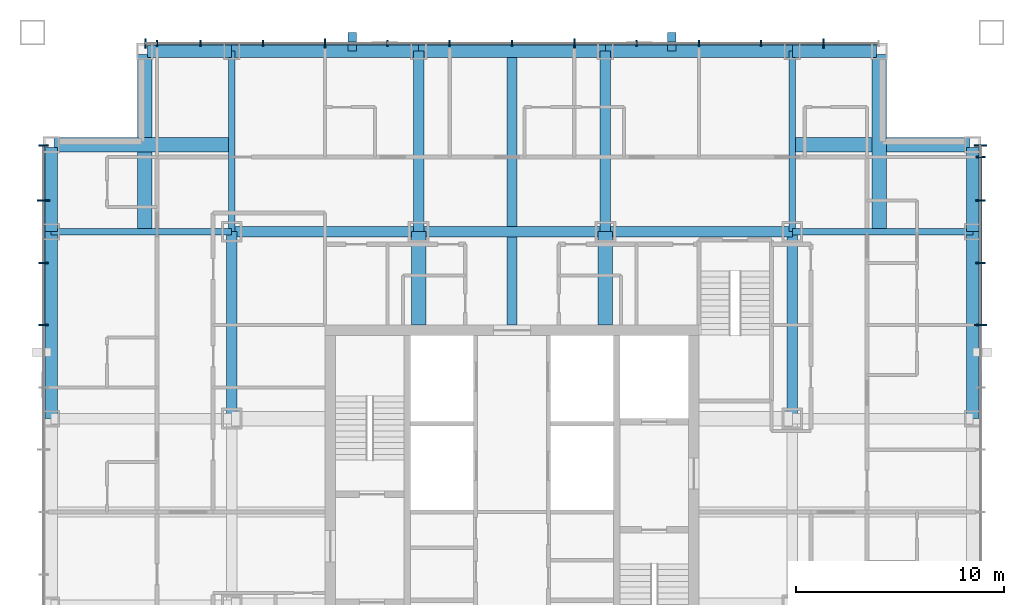
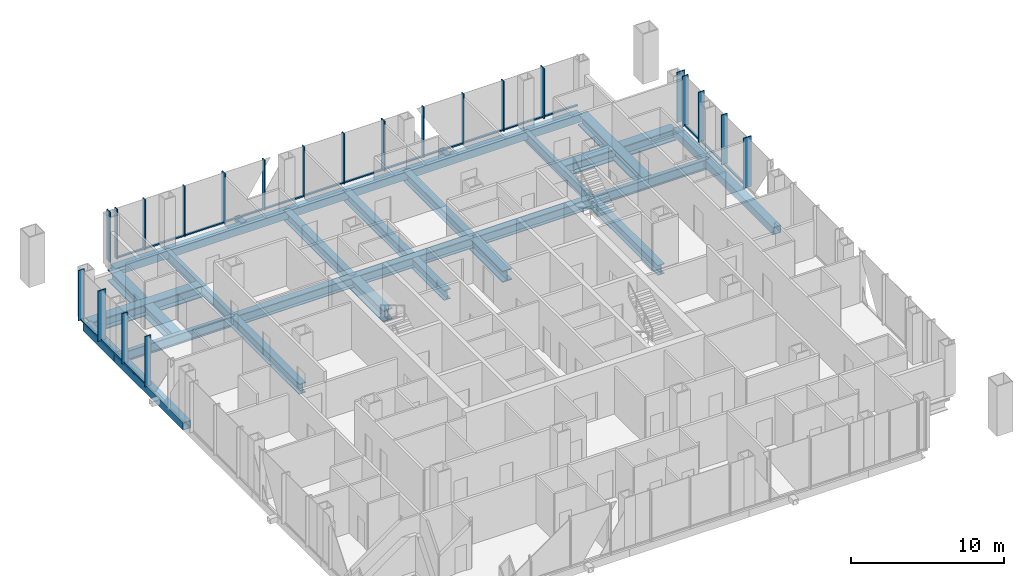
# One storey, part 4 of 20: 42 members, 27 beams, 3 elements without a shape of their own.
"""IFC4 building model written with IfcOpenShell, lengths in metres."""

from ifc_helpers import new_model, si_unit, direction, frame, origin, origin_2d, place, context, subcontext, project, spatial, rectangle, hollow_rectangle, i_section, extrude, material, layer, layer_set, material_profile, profile_set, type_object, element, aggregate, save


model = new_model("IFC4")

# Units and contexts
model_context = context("Model", 3, precision=1e-05, world=origin(), true_north=direction((0.0, 1.0)))
body_context = subcontext(model_context, "Body", "Model", "MODEL_VIEW")
ifc_project = project(units=[si_unit("LENGTHUNIT", "METRE"), si_unit("AREAUNIT", "SQUARE_METRE"), si_unit("VOLUMEUNIT", "CUBIC_METRE"), si_unit("PLANEANGLEUNIT", "RADIAN"), si_unit("MASSUNIT", "GRAM", prefix="KILO")], contexts=[model_context])

# Site, building, storey
site_placement = place(None, origin())
site = spatial("IfcSite", under=ifc_project, at=site_placement, CompositionType="ELEMENT")
building_placement = place(site_placement, origin())
building = spatial("IfcBuilding", under=site, at=building_placement, Name="Malebo Sky Hospital", CompositionType="ELEMENT")
storey_placement = place(building_placement, frame((0.0, 0.0, 233.0)))
storey = spatial("IfcBuildingStorey", under=building, at=storey_placement, Name="L56", CompositionType="ELEMENT", Elevation=233.0)

# Curtain wall, members
ifc_material_1 = material(Name="Anodised aluminium, natural silver", Category="aluminium")
ifc_layer_1 = layer(ifc_material_1, 0.25)
ifc_layer_set_1 = layer_set([ifc_layer_1], Name="WARD CURTAIN WALL NORTH AND SOUTH")
curtain_wall_type_1 = type_object("IfcCurtainWallType", Name="WARD CURTAIN WALL NORTH AND SOUTH", PredefinedType="NOTDEFINED", material=ifc_layer_set_1)
curtain_wall_1_placement = place(storey_placement, origin())
curtain_wall_1 = element("IfcCurtainWall", 1, at=curtain_wall_1_placement, inside=storey, type_object=curtain_wall_type_1, Name="NS curtain wall N", PredefinedType="NOTDEFINED")
ifc_material_profile_1 = material_profile(ifc_material_1, rectangle(XDim=0.14990234375, YDim=0.10009765625, at=origin_2d()), Name="ALUMINIUM TRANSOM 150x100")
ifc_profile_set_1 = profile_set([ifc_material_profile_1], Name="Anodised aluminium, natural silver")
member_type_1 = type_object("IfcMemberType", Name="ALUMINIUM TRANSOM 150x100", PredefinedType="USERDEFINED", material=ifc_profile_set_1)
member_1_placement = place(storey_placement, frame((42.9375, 84.574951171875, 0.050048828125), z_axis=(1.0, 0.0, 0.0), x_axis=(0.0, 1.0, 0.0)))
member_1 = element("IfcMember", 2, at=member_1_placement, type_object=member_type_1, Name="Transom 2", ObjectType="TRANSOM", PredefinedType="USERDEFINED", context=body_context, shape_type="SweptSolid", body=[
    extrude(rectangle(XDim=0.14990234375, YDim=0.10009765625, at=origin_2d()), origin(), (0.0, 0.0, 1.0), 2.02490234375),
])
member_2_placement = place(storey_placement, frame((45.03759765625, 84.574951171875, 0.050048828125), z_axis=(1.0, 0.0, 0.0), x_axis=(0.0, 1.0, 0.0)))
member_2 = element("IfcMember", 3, at=member_2_placement, type_object=member_type_1, Name="Transom 3", ObjectType="TRANSOM", PredefinedType="USERDEFINED", context=body_context, shape_type="SweptSolid", body=[
    extrude(rectangle(XDim=0.14990234375, YDim=0.10009765625, at=origin_2d()), origin(), (0.0, 0.0, 1.0), 2.9248046875),
])
member_3_placement = place(storey_placement, frame((48.03759765625, 84.574951171875, 0.050048828125), z_axis=(1.0, 0.0, 0.0), x_axis=(0.0, 1.0, 0.0)))
member_3 = element("IfcMember", 4, at=member_3_placement, type_object=member_type_1, Name="Transom 4", ObjectType="TRANSOM", PredefinedType="USERDEFINED", context=body_context, shape_type="SweptSolid", body=[
    extrude(rectangle(XDim=0.14990234375, YDim=0.10009765625, at=origin_2d()), origin(), (0.0, 0.0, 1.0), 2.9248046875),
])
member_4_placement = place(storey_placement, frame((51.03759765625, 84.574951171875, 0.050048828125), z_axis=(1.0, 0.0, 0.0), x_axis=(0.0, 1.0, 0.0)))
member_4 = element("IfcMember", 5, at=member_4_placement, type_object=member_type_1, Name="Transom 5", ObjectType="TRANSOM", PredefinedType="USERDEFINED", context=body_context, shape_type="SweptSolid", body=[
    extrude(rectangle(XDim=0.14990234375, YDim=0.10009765625, at=origin_2d()), origin(), (0.0, 0.0, 1.0), 2.9248046875),
])
member_5_placement = place(storey_placement, frame((54.03759765625, 84.574951171875, 0.050048828125), z_axis=(1.0, 0.0, 0.0), x_axis=(0.0, 1.0, 0.0)))
member_5 = element("IfcMember", 6, at=member_5_placement, type_object=member_type_1, Name="Transom 6", ObjectType="TRANSOM", PredefinedType="USERDEFINED", context=body_context, shape_type="SweptSolid", body=[
    extrude(rectangle(XDim=0.14990234375, YDim=0.10009765625, at=origin_2d()), origin(), (0.0, 0.0, 1.0), 2.9248046875),
])
member_6_placement = place(storey_placement, frame((57.03759765625, 84.574951171875, 0.050048828125), z_axis=(1.0, 0.0, 0.0), x_axis=(0.0, 1.0, 0.0)))
member_6 = element("IfcMember", 7, at=member_6_placement, type_object=member_type_1, Name="Transom 7", ObjectType="TRANSOM", PredefinedType="USERDEFINED", context=body_context, shape_type="SweptSolid", body=[
    extrude(rectangle(XDim=0.14990234375, YDim=0.10009765625, at=origin_2d()), origin(), (0.0, 0.0, 1.0), 2.9248046875),
])
member_7_placement = place(storey_placement, frame((60.03759765625, 84.574951171875, 0.050048828125), z_axis=(1.0, 0.0, 0.0), x_axis=(0.0, 1.0, 0.0)))
member_7 = element("IfcMember", 8, at=member_7_placement, type_object=member_type_1, Name="Transom 8", ObjectType="TRANSOM", PredefinedType="USERDEFINED", context=body_context, shape_type="SweptSolid", body=[
    extrude(rectangle(XDim=0.14990234375, YDim=0.10009765625, at=origin_2d()), origin(), (0.0, 0.0, 1.0), 2.9248046875),
])
member_8_placement = place(storey_placement, frame((63.03759765625, 84.574951171875, 0.050048828125), z_axis=(1.0, 0.0, 0.0), x_axis=(0.0, 1.0, 0.0)))
member_8 = element("IfcMember", 9, at=member_8_placement, type_object=member_type_1, Name="Transom 9", ObjectType="TRANSOM", PredefinedType="USERDEFINED", context=body_context, shape_type="SweptSolid", body=[
    extrude(rectangle(XDim=0.14990234375, YDim=0.10009765625, at=origin_2d()), origin(), (0.0, 0.0, 1.0), 2.9248046875),
])
member_9_placement = place(storey_placement, frame((66.03759765625, 84.574951171875, 0.050048828125), z_axis=(1.0, 0.0, 0.0), x_axis=(0.0, 1.0, 0.0)))
member_9 = element("IfcMember", 10, at=member_9_placement, type_object=member_type_1, Name="Transom 10", ObjectType="TRANSOM", PredefinedType="USERDEFINED", context=body_context, shape_type="SweptSolid", body=[
    extrude(rectangle(XDim=0.14990234375, YDim=0.10009765625, at=origin_2d()), origin(), (0.0, 0.0, 1.0), 2.9248046875),
])
member_10_placement = place(storey_placement, frame((69.03759765625, 84.574951171875, 0.050048828125), z_axis=(1.0, 0.0, 0.0), x_axis=(0.0, 1.0, 0.0)))
member_10 = element("IfcMember", 11, at=member_10_placement, type_object=member_type_1, Name="Transom 11", ObjectType="TRANSOM", PredefinedType="USERDEFINED", context=body_context, shape_type="SweptSolid", body=[
    extrude(rectangle(XDim=0.14990234375, YDim=0.10009765625, at=origin_2d()), origin(), (0.0, 0.0, 1.0), 2.9248046875),
])
member_11_placement = place(storey_placement, frame((72.03759765625, 84.574951171875, 0.050048828125), z_axis=(1.0, 0.0, 0.0), x_axis=(0.0, 1.0, 0.0)))
member_11 = element("IfcMember", 12, at=member_11_placement, type_object=member_type_1, Name="Transom 12", ObjectType="TRANSOM", PredefinedType="USERDEFINED", context=body_context, shape_type="SweptSolid", body=[
    extrude(rectangle(XDim=0.14990234375, YDim=0.10009765625, at=origin_2d()), origin(), (0.0, 0.0, 1.0), 2.9248046875),
])
member_12_placement = place(storey_placement, frame((75.03759765625, 84.574951171875, 0.050048828125), z_axis=(1.0, 0.0, 0.0), x_axis=(0.0, 1.0, 0.0)))
member_12 = element("IfcMember", 13, at=member_12_placement, type_object=member_type_1, Name="Transom 13", ObjectType="TRANSOM", PredefinedType="USERDEFINED", context=body_context, shape_type="SweptSolid", body=[
    extrude(rectangle(XDim=0.14990234375, YDim=0.10009765625, at=origin_2d()), origin(), (0.0, 0.0, 1.0), 2.58740234375),
])

ifc_layer_2 = layer(ifc_material_1, 0.25)
ifc_layer_set_2 = layer_set([ifc_layer_2], Name="WARD CURTAIN WALL EAST AND WEST")
curtain_wall_type_2 = type_object("IfcCurtainWallType", Name="WARD CURTAIN WALL EAST AND WEST", PredefinedType="NOTDEFINED", material=ifc_layer_set_2)
curtain_wall_2_placement = place(storey_placement, origin())
curtain_wall_2 = element("IfcCurtainWall", 14, at=curtain_wall_2_placement, inside=storey, type_object=curtain_wall_type_2, Name="EW curtain wall W", PredefinedType="NOTDEFINED")
member_13_placement = place(storey_placement, frame((37.425048828125, 71.03759765625, 0.050048828125), z_axis=(0.0, 1.0, 0.0), x_axis=(-1.0, 0.0, 0.0)))
member_13 = element("IfcMember", 15, at=member_13_placement, type_object=member_type_1, Name="Transom 11", ObjectType="TRANSOM", PredefinedType="USERDEFINED", context=body_context, shape_type="SweptSolid", body=[
    extrude(rectangle(XDim=0.14990234375, YDim=0.10009765625, at=origin_2d()), origin(), (0.0, 0.0, 1.0), 2.9248046875),
])
member_14_placement = place(storey_placement, frame((37.425048828125, 74.03759765625, 0.050048828125), z_axis=(0.0, 1.0, 0.0), x_axis=(-1.0, 0.0, 0.0)))
member_14 = element("IfcMember", 16, at=member_14_placement, type_object=member_type_1, Name="Transom 12", ObjectType="TRANSOM", PredefinedType="USERDEFINED", context=body_context, shape_type="SweptSolid", body=[
    extrude(rectangle(XDim=0.14990234375, YDim=0.10009765625, at=origin_2d()), origin(), (0.0, 0.0, 1.0), 2.9248046875),
])
member_15_placement = place(storey_placement, frame((37.425048828125, 77.03759765625, 0.050048828125), z_axis=(0.0, 1.0, 0.0), x_axis=(-1.0, 0.0, 0.0)))
member_15 = element("IfcMember", 17, at=member_15_placement, type_object=member_type_1, Name="Transom 13", ObjectType="TRANSOM", PredefinedType="USERDEFINED", context=body_context, shape_type="SweptSolid", body=[
    extrude(rectangle(XDim=0.14990234375, YDim=0.10009765625, at=origin_2d()), origin(), (0.0, 0.0, 1.0), 2.58740234375),
])

curtain_wall_3_placement = place(storey_placement, origin())
curtain_wall_3 = element("IfcCurtainWall", 18, at=curtain_wall_3_placement, inside=storey, type_object=curtain_wall_type_2, Name="EW curtain wall E", PredefinedType="NOTDEFINED")
member_16_placement = place(storey_placement, frame((82.574951171875, 79.0625, 0.050048828125), z_axis=(0.0, -1.0, 0.0), x_axis=(1.0, 0.0, 0.0)))
member_16 = element("IfcMember", 19, at=member_16_placement, type_object=member_type_1, Name="Transom 2", ObjectType="TRANSOM", PredefinedType="USERDEFINED", context=body_context, shape_type="SweptSolid", body=[
    extrude(rectangle(XDim=0.14990234375, YDim=0.10009765625, at=origin_2d()), origin(), (0.0, 0.0, 1.0), 2.02490234375),
])
member_17_placement = place(storey_placement, frame((82.574951171875, 76.96240234375, 0.050048828125), z_axis=(0.0, -1.0, 0.0), x_axis=(1.0, 0.0, 0.0)))
member_17 = element("IfcMember", 20, at=member_17_placement, type_object=member_type_1, Name="Transom 3", ObjectType="TRANSOM", PredefinedType="USERDEFINED", context=body_context, shape_type="SweptSolid", body=[
    extrude(rectangle(XDim=0.14990234375, YDim=0.10009765625, at=origin_2d()), origin(), (0.0, 0.0, 1.0), 2.9248046875),
])
member_18_placement = place(storey_placement, frame((82.574951171875, 73.96240234375, 0.050048828125), z_axis=(0.0, -1.0, 0.0), x_axis=(1.0, 0.0, 0.0)))
member_18 = element("IfcMember", 21, at=member_18_placement, type_object=member_type_1, Name="Transom 4", ObjectType="TRANSOM", PredefinedType="USERDEFINED", context=body_context, shape_type="SweptSolid", body=[
    extrude(rectangle(XDim=0.14990234375, YDim=0.10009765625, at=origin_2d()), origin(), (0.0, 0.0, 1.0), 2.9248046875),
])

# Members
ifc_material_2 = material(Name="Steel S355", Category="steel")
ifc_material_profile_2 = material_profile(ifc_material_2, hollow_rectangle(XDim=0.39990234375, YDim=0.39990234375, WallThickness=0.02001953125, at=origin_2d()), Name="SHS 400x20")
ifc_profile_set_2 = profile_set([ifc_material_profile_2], Name="Steel S355")
member_type_2 = type_object("IfcMemberType", Name="BRACE STRUT SHS 400x20", PredefinedType="STRUT", material=ifc_profile_set_2)
for number, where, z_axis, x_axis, name in (
    (22, (67.699951171875, 85.10009765625, -0.39990234375), (0.0, -1.0, 0.0), (1.0, 0.0, 0.0), "Brace strut CN1 L56"),
    (23, (52.300048828125, 85.10009765625, -0.39990234375), (0.0, -1.0, 0.0), (1.0, 0.0, 0.0), "Brace strut CN2 L56"),
):
    element("IfcMember", number, at=place(storey_placement, frame(where, z_axis=z_axis, x_axis=x_axis)), inside=storey, type_object=member_type_2, Name=name, PredefinedType="STRUT", context=body_context, shape_type="SweptSolid", body=[
        extrude(hollow_rectangle(XDim=0.39990234375, YDim=0.39990234375, WallThickness=0.02001953125, at=origin_2d()), origin(), (0.0, 0.0, 1.0), 0.900146484375),
    ])

# Member
ifc_material_profile_3 = material_profile(ifc_material_1, rectangle(XDim=0.074951171875, YDim=0.300048828125, at=origin_2d()), Name="CW1 ALUMINIUM FIN MULLION 75x300")
ifc_profile_set_3 = profile_set([ifc_material_profile_3], Name="Anodised aluminium, natural silver")
member_type_3 = type_object("IfcMemberType", Name="CW1 ALUMINIUM FIN MULLION 75x300", PredefinedType="MULLION", material=ifc_profile_set_3)
member_19_placement = place(storey_placement, frame((42.89990234375, 84.574951171875, 0.0), z_axis=(0.0, 0.0, 1.0), x_axis=(1.0, 0.0, 0.0)))
member_19 = element("IfcMember", 24, at=member_19_placement, type_object=member_type_3, Name="Fin mullion 2", PredefinedType="MULLION", context=body_context, shape_type="SweptSolid", body=[
    extrude(rectangle(XDim=0.074951171875, YDim=0.300048828125, at=origin_2d()), origin(), (0.0, 0.0, 1.0), 4.0),
])

member_20_placement = place(storey_placement, frame((45.0, 84.574951171875, 0.0), z_axis=(0.0, 0.0, 1.0), x_axis=(1.0, 0.0, 0.0)))
member_20 = element("IfcMember", 25, at=member_20_placement, type_object=member_type_3, Name="Fin mullion 3", PredefinedType="MULLION", context=body_context, shape_type="SweptSolid", body=[
    extrude(rectangle(XDim=0.074951171875, YDim=0.300048828125, at=origin_2d()), origin(), (0.0, 0.0, 1.0), 4.0),
])

member_21_placement = place(storey_placement, frame((48.0, 84.574951171875, 0.0), z_axis=(0.0, 0.0, 1.0), x_axis=(1.0, 0.0, 0.0)))
member_21 = element("IfcMember", 26, at=member_21_placement, type_object=member_type_3, Name="Fin mullion 4", PredefinedType="MULLION", context=body_context, shape_type="SweptSolid", body=[
    extrude(rectangle(XDim=0.074951171875, YDim=0.300048828125, at=origin_2d()), origin(), (0.0, 0.0, 1.0), 4.0),
])

member_22_placement = place(storey_placement, frame((54.0, 84.574951171875, 0.0), z_axis=(0.0, 0.0, 1.0), x_axis=(1.0, 0.0, 0.0)))
member_22 = element("IfcMember", 27, at=member_22_placement, type_object=member_type_3, Name="Fin mullion 6", PredefinedType="MULLION", context=body_context, shape_type="SweptSolid", body=[
    extrude(rectangle(XDim=0.074951171875, YDim=0.300048828125, at=origin_2d()), origin(), (0.0, 0.0, 1.0), 4.0),
])

member_23_placement = place(storey_placement, frame((57.0, 84.574951171875, 0.0), z_axis=(0.0, 0.0, 1.0), x_axis=(1.0, 0.0, 0.0)))
member_23 = element("IfcMember", 28, at=member_23_placement, type_object=member_type_3, Name="Fin mullion 7", PredefinedType="MULLION", context=body_context, shape_type="SweptSolid", body=[
    extrude(rectangle(XDim=0.074951171875, YDim=0.300048828125, at=origin_2d()), origin(), (0.0, 0.0, 1.0), 4.0),
])

member_24_placement = place(storey_placement, frame((60.0, 84.574951171875, 0.0), z_axis=(0.0, 0.0, 1.0), x_axis=(1.0, 0.0, 0.0)))
member_24 = element("IfcMember", 29, at=member_24_placement, type_object=member_type_3, Name="Fin mullion 8", PredefinedType="MULLION", context=body_context, shape_type="SweptSolid", body=[
    extrude(rectangle(XDim=0.074951171875, YDim=0.300048828125, at=origin_2d()), origin(), (0.0, 0.0, 1.0), 4.0),
])

member_25_placement = place(storey_placement, frame((66.0, 84.574951171875, 0.0), z_axis=(0.0, 0.0, 1.0), x_axis=(1.0, 0.0, 0.0)))
member_25 = element("IfcMember", 30, at=member_25_placement, type_object=member_type_3, Name="Fin mullion 10", PredefinedType="MULLION", context=body_context, shape_type="SweptSolid", body=[
    extrude(rectangle(XDim=0.074951171875, YDim=0.300048828125, at=origin_2d()), origin(), (0.0, 0.0, 1.0), 4.0),
])

member_26_placement = place(storey_placement, frame((69.0, 84.574951171875, 0.0), z_axis=(0.0, 0.0, 1.0), x_axis=(1.0, 0.0, 0.0)))
member_26 = element("IfcMember", 31, at=member_26_placement, type_object=member_type_3, Name="Fin mullion 11", PredefinedType="MULLION", context=body_context, shape_type="SweptSolid", body=[
    extrude(rectangle(XDim=0.074951171875, YDim=0.300048828125, at=origin_2d()), origin(), (0.0, 0.0, 1.0), 4.0),
])

member_27_placement = place(storey_placement, frame((72.0, 84.574951171875, 0.0), z_axis=(0.0, 0.0, 1.0), x_axis=(1.0, 0.0, 0.0)))
member_27 = element("IfcMember", 32, at=member_27_placement, type_object=member_type_3, Name="Fin mullion 12", PredefinedType="MULLION", context=body_context, shape_type="SweptSolid", body=[
    extrude(rectangle(XDim=0.074951171875, YDim=0.300048828125, at=origin_2d()), origin(), (0.0, 0.0, 1.0), 4.0),
])

ifc_material_profile_4 = material_profile(ifc_material_1, rectangle(XDim=0.074951171875, YDim=0.449951171875, at=origin_2d()), Name="CW1 ALUMINIUM FIN MULLION 75x450")
ifc_profile_set_4 = profile_set([ifc_material_profile_4], Name="Anodised aluminium, natural silver")
member_type_4 = type_object("IfcMemberType", Name="CW1 ALUMINIUM FIN MULLION 75x450", PredefinedType="MULLION", material=ifc_profile_set_4)
member_28_placement = place(storey_placement, frame((42.33740234375, 84.574951171875, 0.0), z_axis=(0.0, 0.0, 1.0), x_axis=(1.0, 0.0, 0.0)))
member_28 = element("IfcMember", 33, at=member_28_placement, type_object=member_type_4, Name="Fin mullion 1", PredefinedType="MULLION", context=body_context, shape_type="SweptSolid", body=[
    extrude(rectangle(XDim=0.074951171875, YDim=0.449951171875, at=origin_2d()), origin(), (0.0, 0.0, 1.0), 4.0),
])

member_29_placement = place(storey_placement, frame((51.0, 84.574951171875, 0.0), z_axis=(0.0, 0.0, 1.0), x_axis=(1.0, 0.0, 0.0)))
member_29 = element("IfcMember", 34, at=member_29_placement, type_object=member_type_4, Name="Fin mullion 5", PredefinedType="MULLION", context=body_context, shape_type="SweptSolid", body=[
    extrude(rectangle(XDim=0.074951171875, YDim=0.449951171875, at=origin_2d()), origin(), (0.0, 0.0, 1.0), 4.0),
])

member_30_placement = place(storey_placement, frame((63.0, 84.574951171875, 0.0), z_axis=(0.0, 0.0, 1.0), x_axis=(1.0, 0.0, 0.0)))
member_30 = element("IfcMember", 35, at=member_30_placement, type_object=member_type_4, Name="Fin mullion 9", PredefinedType="MULLION", context=body_context, shape_type="SweptSolid", body=[
    extrude(rectangle(XDim=0.074951171875, YDim=0.449951171875, at=origin_2d()), origin(), (0.0, 0.0, 1.0), 4.0),
])

member_31_placement = place(storey_placement, frame((75.0, 84.574951171875, 0.0), z_axis=(0.0, 0.0, 1.0), x_axis=(1.0, 0.0, 0.0)))
member_31 = element("IfcMember", 36, at=member_31_placement, type_object=member_type_4, Name="Fin mullion 13", PredefinedType="MULLION", context=body_context, shape_type="SweptSolid", body=[
    extrude(rectangle(XDim=0.074951171875, YDim=0.449951171875, at=origin_2d()), origin(), (0.0, 0.0, 1.0), 4.0),
])

aggregate(curtain_wall_1, [member_28, member_19, member_20, member_21, member_29, member_22, member_23, member_24, member_30, member_25, member_26, member_27, member_31, member_1, member_2, member_3, member_4, member_5, member_6, member_7, member_8, member_9, member_10, member_11, member_12])

ifc_material_profile_5 = material_profile(ifc_material_1, rectangle(XDim=0.074951171875, YDim=0.449951171875, at=origin_2d()), Name="CW2 ALUMINIUM FIN MULLION 75x450")
ifc_profile_set_5 = profile_set([ifc_material_profile_5], Name="Anodised aluminium, natural silver")
member_type_5 = type_object("IfcMemberType", Name="CW2 ALUMINIUM FIN MULLION 75x450", PredefinedType="MULLION", material=ifc_profile_set_5)
member_32_placement = place(storey_placement, frame((37.425048828125, 71.0, 0.0), z_axis=(0.0, 0.0, 1.0), x_axis=(0.0, 1.0, 0.0)))
member_32 = element("IfcMember", 37, at=member_32_placement, type_object=member_type_5, Name="Fin mullion 11", PredefinedType="MULLION", context=body_context, shape_type="SweptSolid", body=[
    extrude(rectangle(XDim=0.074951171875, YDim=0.449951171875, at=origin_2d()), origin(), (0.0, 0.0, 1.0), 4.0),
])

member_33_placement = place(storey_placement, frame((37.425048828125, 74.0, 0.0), z_axis=(0.0, 0.0, 1.0), x_axis=(0.0, 1.0, 0.0)))
member_33 = element("IfcMember", 38, at=member_33_placement, type_object=member_type_5, Name="Fin mullion 12", PredefinedType="MULLION", context=body_context, shape_type="SweptSolid", body=[
    extrude(rectangle(XDim=0.074951171875, YDim=0.449951171875, at=origin_2d()), origin(), (0.0, 0.0, 1.0), 4.0),
])

member_34_placement = place(storey_placement, frame((37.425048828125, 79.66259765625, 0.0), z_axis=(0.0, 0.0, 1.0), x_axis=(0.0, 1.0, 0.0)))
member_34 = element("IfcMember", 39, at=member_34_placement, type_object=member_type_5, Name="Fin mullion 14", PredefinedType="MULLION", context=body_context, shape_type="SweptSolid", body=[
    extrude(rectangle(XDim=0.074951171875, YDim=0.449951171875, at=origin_2d()), origin(), (0.0, 0.0, 1.0), 4.0),
])

member_35_placement = place(storey_placement, frame((82.574951171875, 79.10009765625, 0.0), z_axis=(0.0, 0.0, 1.0), x_axis=(0.0, -1.0, 0.0)))
member_35 = element("IfcMember", 40, at=member_35_placement, type_object=member_type_5, Name="Fin mullion 2", PredefinedType="MULLION", context=body_context, shape_type="SweptSolid", body=[
    extrude(rectangle(XDim=0.074951171875, YDim=0.449951171875, at=origin_2d()), origin(), (0.0, 0.0, 1.0), 4.0),
])

member_36_placement = place(storey_placement, frame((82.574951171875, 77.0, 0.0), z_axis=(0.0, 0.0, 1.0), x_axis=(0.0, -1.0, 0.0)))
member_36 = element("IfcMember", 41, at=member_36_placement, type_object=member_type_5, Name="Fin mullion 3", PredefinedType="MULLION", context=body_context, shape_type="SweptSolid", body=[
    extrude(rectangle(XDim=0.074951171875, YDim=0.449951171875, at=origin_2d()), origin(), (0.0, 0.0, 1.0), 4.0),
])

member_37_placement = place(storey_placement, frame((82.574951171875, 74.0, 0.0), z_axis=(0.0, 0.0, 1.0), x_axis=(0.0, -1.0, 0.0)))
member_37 = element("IfcMember", 42, at=member_37_placement, type_object=member_type_5, Name="Fin mullion 4", PredefinedType="MULLION", context=body_context, shape_type="SweptSolid", body=[
    extrude(rectangle(XDim=0.074951171875, YDim=0.449951171875, at=origin_2d()), origin(), (0.0, 0.0, 1.0), 4.0),
])

ifc_material_profile_6 = material_profile(ifc_material_1, rectangle(XDim=0.074951171875, YDim=0.60009765625, at=origin_2d()), Name="CW2 ALUMINIUM FIN MULLION 75x600")
ifc_profile_set_6 = profile_set([ifc_material_profile_6], Name="Anodised aluminium, natural silver")
member_type_6 = type_object("IfcMemberType", Name="CW2 ALUMINIUM FIN MULLION 75x600", PredefinedType="MULLION", material=ifc_profile_set_6)
member_38_placement = place(storey_placement, frame((37.425048828125, 77.0, 0.0), z_axis=(0.0, 0.0, 1.0), x_axis=(0.0, 1.0, 0.0)))
member_38 = element("IfcMember", 43, at=member_38_placement, type_object=member_type_6, Name="Fin mullion 13", PredefinedType="MULLION", context=body_context, shape_type="SweptSolid", body=[
    extrude(rectangle(XDim=0.074951171875, YDim=0.60009765625, at=origin_2d()), origin(), (0.0, 0.0, 1.0), 4.0),
])

aggregate(curtain_wall_2, [member_32, member_33, member_38, member_34, member_13, member_14, member_15])

member_39_placement = place(storey_placement, frame((82.574951171875, 79.66259765625, 0.0), z_axis=(0.0, 0.0, 1.0), x_axis=(0.0, -1.0, 0.0)))
member_39 = element("IfcMember", 44, at=member_39_placement, type_object=member_type_6, Name="Fin mullion 1", PredefinedType="MULLION", context=body_context, shape_type="SweptSolid", body=[
    extrude(rectangle(XDim=0.074951171875, YDim=0.60009765625, at=origin_2d()), origin(), (0.0, 0.0, 1.0), 4.0),
])

member_40_placement = place(storey_placement, frame((82.574951171875, 71.0, 0.0), z_axis=(0.0, 0.0, 1.0), x_axis=(0.0, -1.0, 0.0)))
member_40 = element("IfcMember", 45, at=member_40_placement, type_object=member_type_6, Name="Fin mullion 5", PredefinedType="MULLION", context=body_context, shape_type="SweptSolid", body=[
    extrude(rectangle(XDim=0.074951171875, YDim=0.60009765625, at=origin_2d()), origin(), (0.0, 0.0, 1.0), 4.0),
])

aggregate(curtain_wall_3, [member_39, member_35, member_36, member_37, member_40, member_16, member_17, member_18])

# Beams
ifc_material_3 = material(Name="Steel S460", Category="steel")
ifc_material_profile_7 = material_profile(ifc_material_3, hollow_rectangle(XDim=0.60009765625, YDim=0.60009765625, WallThickness=0.0400390625, at=origin_2d()), Name="BOX 600x600x40")
ifc_profile_set_7 = profile_set([ifc_material_profile_7], Name="Steel S460")
beam_type_1 = type_object("IfcBeamType", Name="EDGE BEAM BOX 600x600x40", PredefinedType="BEAM", material=ifc_profile_set_7)
beam_1_placement = place(storey_placement, frame((37.800048828125, 66.5, -0.550048828125), z_axis=(0.0, 1.0, 0.0), x_axis=(-1.0, 0.0, 0.0)))
element("IfcBeam", 46, at=beam_1_placement, inside=storey, type_object=beam_type_1, Name="Beam 003 L56", PredefinedType="BEAM", context=body_context, shape_type="SweptSolid", body=[
    extrude(hollow_rectangle(XDim=0.60009765625, YDim=0.60009765625, WallThickness=0.0400390625, at=origin_2d()), origin(), (0.0, 0.0, 1.0), 9.0),
])
beam_2_placement = place(storey_placement, frame((37.800048828125, 75.5, -0.550048828125), z_axis=(0.0, 1.0, 0.0), x_axis=(-1.0, 0.0, 0.0)))
element("IfcBeam", 47, at=beam_2_placement, inside=storey, type_object=beam_type_1, Name="Beam 004 L56", PredefinedType="BEAM", context=body_context, shape_type="SweptSolid", body=[
    extrude(hollow_rectangle(XDim=0.60009765625, YDim=0.60009765625, WallThickness=0.0400390625, at=origin_2d()), origin(), (0.0, 0.0, 1.0), 4.050048828125),
])
beam_3_placement = place(storey_placement, frame((82.199951171875, 66.5, -0.550048828125), z_axis=(0.0, 1.0, 0.0), x_axis=(-1.0, 0.0, 0.0)))
element("IfcBeam", 48, at=beam_3_placement, inside=storey, type_object=beam_type_1, Name="Beam 032 L56", PredefinedType="BEAM", context=body_context, shape_type="SweptSolid", body=[
    extrude(hollow_rectangle(XDim=0.60009765625, YDim=0.60009765625, WallThickness=0.0400390625, at=origin_2d()), origin(), (0.0, 0.0, 1.0), 9.0),
])
for number, where, z_axis, x_axis, name in (
    (49, (82.199951171875, 75.5, -0.550048828125), (0.0, 1.0, 0.0), (-1.0, 0.0, 0.0), "Beam 033 L56"),
    (50, (42.449951171875, 84.199951171875, -0.550048828125), (1.0, 0.0, 0.0), (0.0, 1.0, 0.0), "Beam 063 L56"),
):
    element("IfcBeam", number, at=place(storey_placement, frame(where, z_axis=z_axis, x_axis=x_axis)), inside=storey, type_object=beam_type_1, Name=name, PredefinedType="BEAM", context=body_context, shape_type="SweptSolid", body=[
        extrude(hollow_rectangle(XDim=0.60009765625, YDim=0.60009765625, WallThickness=0.0400390625, at=origin_2d()), origin(), (0.0, 0.0, 1.0), 4.050048828125),
    ])
for number, where, z_axis, x_axis, name in (
    (51, (46.5, 84.199951171875, -0.550048828125), (1.0, 0.0, 0.0), (0.0, 1.0, 0.0), "Beam 064 L56"),
    (52, (55.5, 84.199951171875, -0.550048828125), (1.0, 0.0, 0.0), (0.0, 1.0, 0.0), "Beam 065 L56"),
    (53, (64.5, 84.199951171875, -0.550048828125), (1.0, 0.0, 0.0), (0.0, 1.0, 0.0), "Beam 066 L56"),
):
    element("IfcBeam", number, at=place(storey_placement, frame(where, z_axis=z_axis, x_axis=x_axis)), inside=storey, type_object=beam_type_1, Name=name, PredefinedType="BEAM", context=body_context, shape_type="SweptSolid", body=[
        extrude(hollow_rectangle(XDim=0.60009765625, YDim=0.60009765625, WallThickness=0.0400390625, at=origin_2d()), origin(), (0.0, 0.0, 1.0), 9.0),
    ])
beam_4_placement = place(storey_placement, frame((73.5, 84.199951171875, -0.550048828125), z_axis=(1.0, 0.0, 0.0), x_axis=(0.0, 1.0, 0.0)))
element("IfcBeam", 54, at=beam_4_placement, inside=storey, type_object=beam_type_1, Name="Beam 067 L56", PredefinedType="BEAM", context=body_context, shape_type="SweptSolid", body=[
    extrude(hollow_rectangle(XDim=0.60009765625, YDim=0.60009765625, WallThickness=0.0400390625, at=origin_2d()), origin(), (0.0, 0.0, 1.0), 4.050048828125),
])
ifc_material_profile_8 = material_profile(ifc_material_2, i_section(OverallWidth=0.5, OverallDepth=0.800048828125, WebThickness=0.030029296875, FlangeThickness=0.050048828125, at=origin_2d()), Name="PG 800x500x30x50")
ifc_profile_set_8 = profile_set([ifc_material_profile_8], Name="Steel S355")
beam_type_2 = type_object("IfcBeamType", Name="FLOOR BEAM PG 800x500x30x50", PredefinedType="BEAM", material=ifc_profile_set_8)
beam_5_placement = place(storey_placement, frame((46.5, 66.5, -0.64990234375), z_axis=(0.0, 1.0, 0.0), x_axis=(-1.0, 0.0, 0.0)))
element("IfcBeam", 55, at=beam_5_placement, inside=storey, type_object=beam_type_2, Name="Beam 010 L56", PredefinedType="BEAM", context=body_context, shape_type="SweptSolid", body=[
    extrude(i_section(OverallWidth=0.5, OverallDepth=0.800048828125, WebThickness=0.030029296875, FlangeThickness=0.050048828125, at=origin_2d()), origin(), (0.0, 0.0, 1.0), 9.0),
])
beam_6_placement = place(storey_placement, frame((55.5, 75.5, -0.64990234375), z_axis=(0.0, 1.0, 0.0), x_axis=(-1.0, 0.0, 0.0)))
element("IfcBeam", 56, at=beam_6_placement, inside=storey, type_object=beam_type_2, Name="Beam 015 L56", PredefinedType="BEAM", context=body_context, shape_type="SweptSolid", body=[
    extrude(i_section(OverallWidth=0.5, OverallDepth=0.800048828125, WebThickness=0.030029296875, FlangeThickness=0.050048828125, at=origin_2d()), origin(), (0.0, 0.0, 1.0), 8.699951171875),
])
beam_7_placement = place(storey_placement, frame((60.0, 71.0, -0.64990234375), z_axis=(0.0, 1.0, 0.0), x_axis=(-1.0, 0.0, 0.0)))
element("IfcBeam", 57, at=beam_7_placement, inside=storey, type_object=beam_type_2, Name="Beam 017 L56", PredefinedType="BEAM", context=body_context, shape_type="SweptSolid", body=[
    extrude(i_section(OverallWidth=0.5, OverallDepth=0.800048828125, WebThickness=0.030029296875, FlangeThickness=0.050048828125, at=origin_2d()), origin(), (0.0, 0.0, 1.0), 13.199951171875),
])
beam_8_placement = place(storey_placement, frame((64.5, 75.5, -0.64990234375), z_axis=(0.0, 1.0, 0.0), x_axis=(-1.0, 0.0, 0.0)))
element("IfcBeam", 58, at=beam_8_placement, inside=storey, type_object=beam_type_2, Name="Beam 021 L56", PredefinedType="BEAM", context=body_context, shape_type="SweptSolid", body=[
    extrude(i_section(OverallWidth=0.5, OverallDepth=0.800048828125, WebThickness=0.030029296875, FlangeThickness=0.050048828125, at=origin_2d()), origin(), (0.0, 0.0, 1.0), 8.699951171875),
])
for number, where, z_axis, x_axis, name in (
    (59, (73.5, 66.5, -0.64990234375), (0.0, 1.0, 0.0), (-1.0, 0.0, 0.0), "Beam 025 L56"),
    (60, (46.5, 75.5, -0.64990234375), (1.0, 0.0, 0.0), (0.0, 1.0, 0.0), "Beam 057 L56"),
    (61, (64.5, 75.5, -0.64990234375), (1.0, 0.0, 0.0), (0.0, 1.0, 0.0), "Beam 059 L56"),
):
    element("IfcBeam", number, at=place(storey_placement, frame(where, z_axis=z_axis, x_axis=x_axis)), inside=storey, type_object=beam_type_2, Name=name, PredefinedType="BEAM", context=body_context, shape_type="SweptSolid", body=[
        extrude(i_section(OverallWidth=0.5, OverallDepth=0.800048828125, WebThickness=0.030029296875, FlangeThickness=0.050048828125, at=origin_2d()), origin(), (0.0, 0.0, 1.0), 9.0),
    ])
ifc_material_profile_9 = material_profile(ifc_material_2, i_section(OverallWidth=0.699951171875, OverallDepth=0.89990234375, WebThickness=0.0400390625, FlangeThickness=0.070068359375, at=origin_2d()), Name="PG 900x700x40x70")
ifc_profile_set_9 = profile_set([ifc_material_profile_9], Name="Steel S355")
beam_type_3 = type_object("IfcBeamType", Name="FLOOR BEAM PG 900x700x40x70", PredefinedType="BEAM", material=ifc_profile_set_9)
beam_9_placement = place(storey_placement, frame((42.300048828125, 75.5, -0.699951171875), z_axis=(0.0, 1.0, 0.0), x_axis=(-1.0, 0.0, 0.0)))
element("IfcBeam", 62, at=beam_9_placement, inside=storey, type_object=beam_type_3, Name="Beam 006 L56", PredefinedType="BEAM", context=body_context, shape_type="SweptSolid", body=[
    extrude(i_section(OverallWidth=0.699951171875, OverallDepth=0.89990234375, WebThickness=0.0400390625, FlangeThickness=0.070068359375, at=origin_2d()), origin(), (0.0, 0.0, 1.0), 8.550048828125),
])
for number, where, z_axis, x_axis, name in (
    (63, (55.5, 71.0, -0.699951171875), (0.0, 1.0, 0.0), (-1.0, 0.0, 0.0), "Beam 014 L56"),
    (64, (64.5, 71.0, -0.699951171875), (0.0, 1.0, 0.0), (-1.0, 0.0, 0.0), "Beam 020 L56"),
):
    element("IfcBeam", number, at=place(storey_placement, frame(where, z_axis=z_axis, x_axis=x_axis)), inside=storey, type_object=beam_type_3, Name=name, PredefinedType="BEAM", context=body_context, shape_type="SweptSolid", body=[
        extrude(i_section(OverallWidth=0.699951171875, OverallDepth=0.89990234375, WebThickness=0.0400390625, FlangeThickness=0.070068359375, at=origin_2d()), origin(), (0.0, 0.0, 1.0), 4.5),
    ])
for number, where, z_axis, x_axis, name in (
    (65, (77.699951171875, 75.5, -0.699951171875), (0.0, 1.0, 0.0), (-1.0, 0.0, 0.0), "Beam 028 L56"),
    (66, (37.949951171875, 79.699951171875, -0.699951171875), (1.0, 0.0, 0.0), (0.0, 1.0, 0.0), "Beam 061 L56"),
    (67, (73.5, 79.699951171875, -0.699951171875), (1.0, 0.0, 0.0), (0.0, 1.0, 0.0), "Beam 062 L56"),
):
    element("IfcBeam", number, at=place(storey_placement, frame(where, z_axis=z_axis, x_axis=x_axis)), inside=storey, type_object=beam_type_3, Name=name, PredefinedType="BEAM", context=body_context, shape_type="SweptSolid", body=[
        extrude(i_section(OverallWidth=0.699951171875, OverallDepth=0.89990234375, WebThickness=0.0400390625, FlangeThickness=0.070068359375, at=origin_2d()), origin(), (0.0, 0.0, 1.0), 8.550048828125),
    ])
ifc_material_profile_10 = material_profile(ifc_material_2, i_section(OverallWidth=0.300048828125, OverallDepth=0.800048828125, WebThickness=0.017578125, FlangeThickness=0.032958984375, FilletRadius=0.030029296875, at=origin_2d()), Name="HEB 800")
ifc_profile_set_10 = profile_set([ifc_material_profile_10], Name="Steel S355")
beam_type_4 = type_object("IfcBeamType", Name="FLOOR GIRDER HEB 800", PredefinedType="BEAM", material=ifc_profile_set_10)
for number, where, z_axis, x_axis, name in (
    (68, (46.5, 75.5, -0.64990234375), (0.0, 1.0, 0.0), (-1.0, 0.0, 0.0), "Beam 011 L56"),
    (69, (73.5, 75.5, -0.64990234375), (0.0, 1.0, 0.0), (-1.0, 0.0, 0.0), "Beam 026 L56"),
    (70, (37.800048828125, 75.5, -0.64990234375), (1.0, 0.0, 0.0), (0.0, 1.0, 0.0), "Beam 056 L56"),
    (71, (73.5, 75.5, -0.64990234375), (1.0, 0.0, 0.0), (0.0, 1.0, 0.0), "Beam 060 L56"),
):
    element("IfcBeam", number, at=place(storey_placement, frame(where, z_axis=z_axis, x_axis=x_axis)), inside=storey, type_object=beam_type_4, Name=name, PredefinedType="BEAM", context=body_context, shape_type="SweptSolid", body=[
        extrude(i_section(OverallWidth=0.300048828125, OverallDepth=0.800048828125, WebThickness=0.017578125, FlangeThickness=0.032958984375, FilletRadius=0.030029296875, at=origin_2d()), origin(), (0.0, 0.0, 1.0), 8.699951171875),
    ])
ifc_material_profile_11 = material_profile(ifc_material_2, i_section(OverallWidth=0.5, OverallDepth=0.800048828125, WebThickness=0.030029296875, FlangeThickness=0.050048828125, at=origin_2d()), Name="PG 800x500x30x50")
ifc_profile_set_11 = profile_set([ifc_material_profile_11], Name="Steel S355")
beam_type_5 = type_object("IfcBeamType", Name="RING GIRDER PG 800x500x30x50", PredefinedType="BEAM", material=ifc_profile_set_11)
beam_10_placement = place(storey_placement, frame((55.5, 75.5, -0.64990234375), z_axis=(1.0, 0.0, 0.0), x_axis=(0.0, 1.0, 0.0)))
element("IfcBeam", 72, at=beam_10_placement, inside=storey, type_object=beam_type_5, Name="Beam 058 L56", PredefinedType="BEAM", context=body_context, shape_type="SweptSolid", body=[
    extrude(i_section(OverallWidth=0.5, OverallDepth=0.800048828125, WebThickness=0.030029296875, FlangeThickness=0.050048828125, at=origin_2d()), origin(), (0.0, 0.0, 1.0), 9.0),
])

save(model, "model.ifc")
